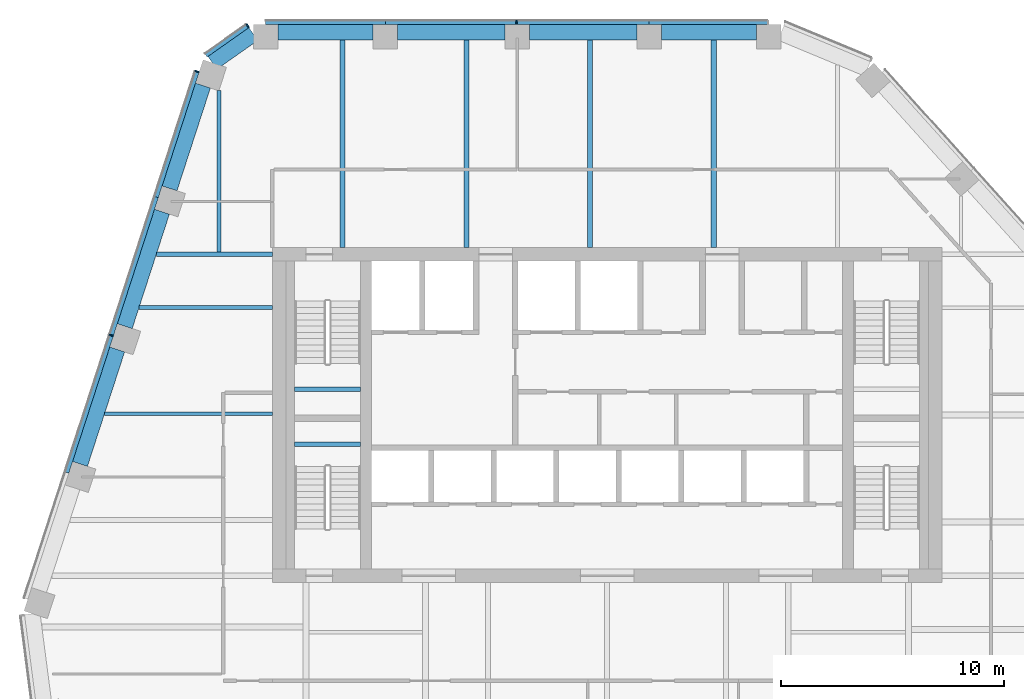
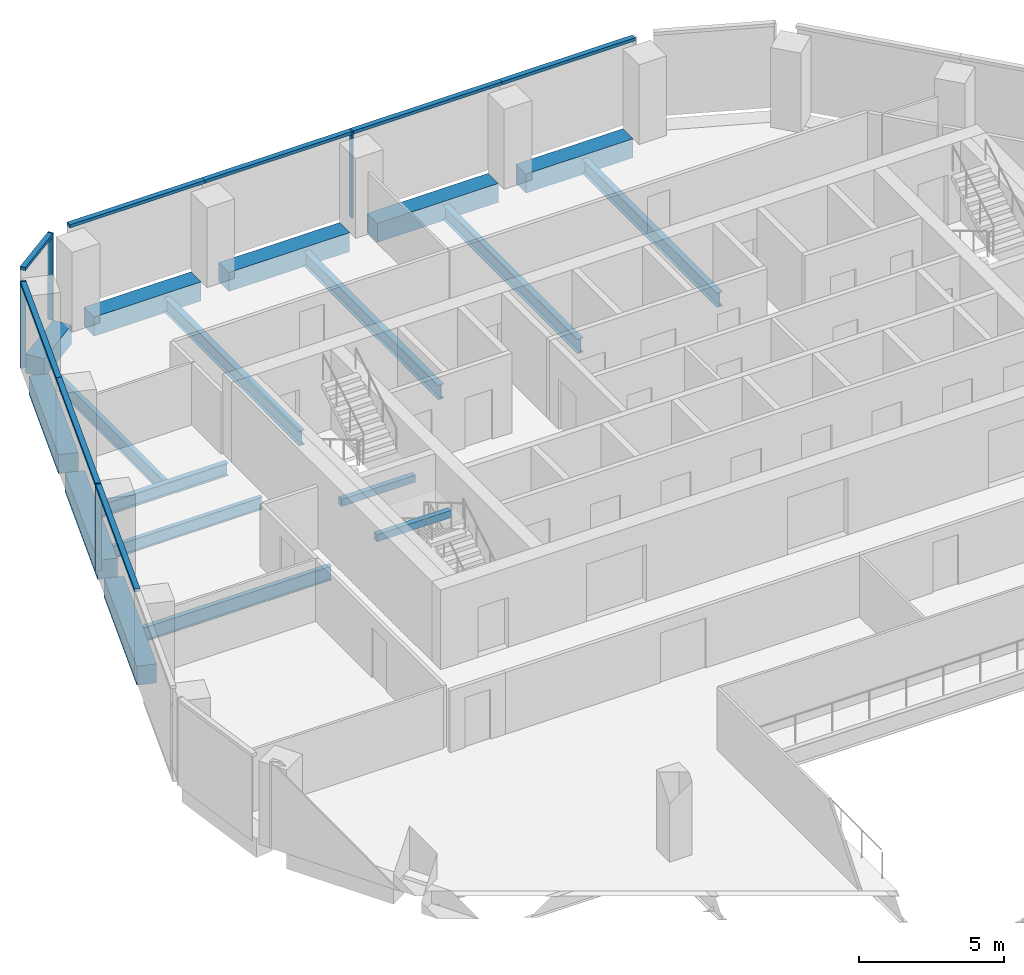
# One storey, part 6 of 16: 18 beams, 12 members, 3 elements without a shape of their own.
"""IFC4 building model written with IfcOpenShell, lengths in metres."""

from ifc_helpers import new_model, si_unit, direction, frame, origin, origin_2d, place, context, subcontext, project, spatial, rectangle, i_section, extrude, material, layer, layer_set, material_profile, profile_set, type_object, element, aggregate, save


model = new_model("IFC4")

# Units and contexts
model_context = context("Model", 3, precision=1e-05, world=origin(), true_north=direction((0.0, 1.0)))
body_context = subcontext(model_context, "Body", "Model", "MODEL_VIEW")
ifc_project = project(units=[si_unit("LENGTHUNIT", "METRE"), si_unit("AREAUNIT", "SQUARE_METRE"), si_unit("VOLUMEUNIT", "CUBIC_METRE"), si_unit("PLANEANGLEUNIT", "RADIAN"), si_unit("MASSUNIT", "GRAM", prefix="KILO")], contexts=[model_context])

# Site, building, storey
site_placement = place(None, origin())
site = spatial("IfcSite", under=ifc_project, at=site_placement, CompositionType="ELEMENT")
building_placement = place(site_placement, origin())
building = spatial("IfcBuilding", under=site, at=building_placement, Name="Isthmus Gate Tower", CompositionType="ELEMENT")
storey_placement = place(building_placement, frame((0.0, 0.0, 252.800048828125)))
storey = spatial("IfcBuildingStorey", under=building, at=storey_placement, Name="L64", CompositionType="ELEMENT", Elevation=252.800048828125)

# Curtain wall, member
ifc_material_1 = material(Name="Aluminium, pale champagne anodised", Category="aluminium")
ifc_layer = layer(ifc_material_1, 0.199951171875)
ifc_layer_set = layer_set([ifc_layer], Name="CW-1 UNITISED CURTAIN WALL 200 DEEP")
curtain_wall_type = type_object("IfcCurtainWallType", Name="CW-1 UNITISED CURTAIN WALL 200 DEEP", PredefinedType="NOTDEFINED", material=ifc_layer_set)
curtain_wall_1_placement = place(storey_placement, origin())
curtain_wall_1 = element("IfcCurtainWall", 1, at=curtain_wall_1_placement, inside=storey, type_object=curtain_wall_type, Name="CW-1 N L64", PredefinedType="NOTDEFINED")
ifc_material_2 = material(Name="Aluminium, pale champagne anodised", Category="aluminium")
ifc_material_profile_1 = material_profile(ifc_material_2, rectangle(XDim=0.06005859375, YDim=0.199951171875, at=origin_2d()), Name="60x200")
ifc_profile_set_1 = profile_set([ifc_material_profile_1], Name="Aluminium, pale champagne anodised")
member_type_1 = type_object("IfcMemberType", Name="CW-1 MULLION 60 X 200", PredefinedType="MULLION", material=ifc_profile_set_1)
member_1_placement = place(storey_placement, frame((-4.06005859375, 25.10009765625, 0.0), z_axis=(0.0, 0.0, 1.0), x_axis=(-1.0, 0.0, 0.0)))
member_1 = element("IfcMember", 2, at=member_1_placement, type_object=member_type_1, Name="CW-1 mullion", PredefinedType="MULLION", context=body_context, shape_type="SweptSolid", body=[
    extrude(rectangle(XDim=0.06005859375, YDim=0.199951171875, at=origin_2d()), origin(), (0.0, 0.0, 1.0), 3.64990234375),
])

curtain_wall_2_placement = place(storey_placement, origin())
curtain_wall_2 = element("IfcCurtainWall", 3, at=curtain_wall_2_placement, inside=storey, type_object=curtain_wall_type, Name="CW-1 N-NW L64", PredefinedType="NOTDEFINED")
member_2_placement = place(storey_placement, frame((-16.10595703125, 24.943115234375, 0.0), z_axis=(0.0, 0.0, 1.0), x_axis=(-0.81785959165, -0.57541783805, 0.0)))
member_2 = element("IfcMember", 4, at=member_2_placement, type_object=member_type_1, Name="CW-1 mullion", PredefinedType="MULLION", context=body_context, shape_type="SweptSolid", body=[
    extrude(rectangle(XDim=0.06005859375, YDim=0.199951171875, at=origin_2d()), origin(), (0.0, 0.0, 1.0), 3.64990234375),
])

# Curtain wall, members
curtain_wall_3_placement = place(storey_placement, origin())
curtain_wall_3 = element("IfcCurtainWall", 5, at=curtain_wall_3_placement, inside=storey, type_object=curtain_wall_type, Name="CW-1 NW L64", PredefinedType="NOTDEFINED")
member_3_placement = place(storey_placement, frame((-18.37841796875, 22.894287109375, 0.0), z_axis=(0.0, 0.0, 1.0), x_axis=(-0.309016994375, -0.951056516295, 0.0)))
member_3 = element("IfcMember", 6, at=member_3_placement, type_object=member_type_1, Name="CW-1 mullion", PredefinedType="MULLION", context=body_context, shape_type="SweptSolid", body=[
    extrude(rectangle(XDim=0.06005859375, YDim=0.199951171875, at=origin_2d()), origin(), (0.0, 0.0, 1.0), 3.64990234375),
])
member_4_placement = place(storey_placement, frame((-22.220703125, 11.069091796875, 0.0), z_axis=(0.0, 0.0, 1.0), x_axis=(-0.309016994375, -0.951056516295, 0.0)))
member_4 = element("IfcMember", 7, at=member_4_placement, type_object=member_type_1, Name="CW-1 mullion", PredefinedType="MULLION", context=body_context, shape_type="SweptSolid", body=[
    extrude(rectangle(XDim=0.06005859375, YDim=0.199951171875, at=origin_2d()), origin(), (0.0, 0.0, 1.0), 3.64990234375),
])

# Member
ifc_material_3 = material(Name="Aluminium, pale champagne anodised", Category="aluminium")
ifc_material_profile_2 = material_profile(ifc_material_3, rectangle(XDim=0.199951171875, YDim=0.1298828125, at=origin_2d()), Name="200x130")
ifc_profile_set_2 = profile_set([ifc_material_profile_2], Name="Aluminium, pale champagne anodised")
member_type_2 = type_object("IfcMemberType", Name="CW-1 TRANSOM 200 X 130", PredefinedType="USERDEFINED", material=ifc_profile_set_2)
member_5_placement = place(storey_placement, frame((7.18115234375, 25.10009765625, 3.5849609375), z_axis=(-1.0, 0.0, 0.0), x_axis=(0.0, -1.0, 0.0)))
member_5 = element("IfcMember", 8, at=member_5_placement, type_object=member_type_2, Name="CW-1 transom", ObjectType="TRANSOM", PredefinedType="USERDEFINED", context=body_context, shape_type="SweptSolid", body=[
    extrude(rectangle(XDim=0.199951171875, YDim=0.1298828125, at=origin_2d()), origin(), (0.0, 0.0, 1.0), 5.300537109375),
])

member_6_placement = place(storey_placement, frame((1.880615234375, 25.10009765625, 3.5849609375), z_axis=(-1.0, 0.0, 0.0), x_axis=(0.0, -1.0, 0.0)))
member_6 = element("IfcMember", 9, at=member_6_placement, type_object=member_type_2, Name="CW-1 transom", ObjectType="TRANSOM", PredefinedType="USERDEFINED", context=body_context, shape_type="SweptSolid", body=[
    extrude(rectangle(XDim=0.199951171875, YDim=0.1298828125, at=origin_2d()), origin(), (0.0, 0.0, 1.0), 5.91064453125),
])

member_7_placement = place(storey_placement, frame((-4.090087890625, 25.10009765625, 3.5849609375), z_axis=(-1.0, 0.0, 0.0), x_axis=(0.0, -1.0, 0.0)))
member_7 = element("IfcMember", 10, at=member_7_placement, type_object=member_type_2, Name="CW-1 transom", ObjectType="TRANSOM", PredefinedType="USERDEFINED", context=body_context, shape_type="SweptSolid", body=[
    extrude(rectangle(XDim=0.199951171875, YDim=0.1298828125, at=origin_2d()), origin(), (0.0, 0.0, 1.0), 5.8505859375),
])

member_8_placement = place(storey_placement, frame((-9.940673828125, 25.10009765625, 3.5849609375), z_axis=(-1.0, 0.0, 0.0), x_axis=(0.0, -1.0, 0.0)))
member_8 = element("IfcMember", 11, at=member_8_placement, type_object=member_type_2, Name="CW-1 transom", ObjectType="TRANSOM", PredefinedType="USERDEFINED", context=body_context, shape_type="SweptSolid", body=[
    extrude(rectangle(XDim=0.199951171875, YDim=0.1298828125, at=origin_2d()), origin(), (0.0, 0.0, 1.0), 5.360595703125),
])

aggregate(curtain_wall_1, [member_5, member_6, member_1, member_7, member_8])

member_9_placement = place(storey_placement, frame((-16.130615234375, 24.92578125, 3.5849609375), z_axis=(-0.817868595604, -0.575405040233, 0.0), x_axis=(0.575405040233, -0.817868595604, 0.0)))
member_9 = element("IfcMember", 12, at=member_9_placement, type_object=member_type_2, Name="CW-1 transom", ObjectType="TRANSOM", PredefinedType="USERDEFINED", context=body_context, shape_type="SweptSolid", body=[
    extrude(rectangle(XDim=0.199951171875, YDim=0.1298828125, at=origin_2d()), origin(), (0.0, 0.0, 1.0), 2.258544921875),
])

aggregate(curtain_wall_2, [member_2, member_9])

member_10_placement = place(storey_placement, frame((-18.3876953125, 22.86572265625, 3.5849609375), z_axis=(-0.309021311898, -0.951055113436, 0.0), x_axis=(0.951055113436, -0.309021311898, 0.0)))
member_10 = element("IfcMember", 13, at=member_10_placement, type_object=member_type_2, Name="CW-1 transom", ObjectType="TRANSOM", PredefinedType="USERDEFINED", context=body_context, shape_type="SweptSolid", body=[
    extrude(rectangle(XDim=0.199951171875, YDim=0.1298828125, at=origin_2d()), origin(), (0.0, 0.0, 1.0), 5.8818359375),
])

member_11_placement = place(storey_placement, frame((-20.205322265625, 17.271728515625, 3.5849609375), z_axis=(-0.309020593362, -0.951055346906, 0.0), x_axis=(0.951055346906, -0.309020593362, 0.0)))
member_11 = element("IfcMember", 14, at=member_11_placement, type_object=member_type_2, Name="CW-1 transom", ObjectType="TRANSOM", PredefinedType="USERDEFINED", context=body_context, shape_type="SweptSolid", body=[
    extrude(rectangle(XDim=0.199951171875, YDim=0.1298828125, at=origin_2d()), origin(), (0.0, 0.0, 1.0), 6.49169921875),
])

member_12_placement = place(storey_placement, frame((-22.22998046875, 11.04052734375, 3.5849609375), z_axis=(-0.309010542947, -0.951058612467, 0.0), x_axis=(0.951058612467, -0.309010542947, 0.0)))
member_12 = element("IfcMember", 15, at=member_12_placement, type_object=member_type_2, Name="CW-1 transom", ObjectType="TRANSOM", PredefinedType="USERDEFINED", context=body_context, shape_type="SweptSolid", body=[
    extrude(rectangle(XDim=0.199951171875, YDim=0.1298828125, at=origin_2d()), origin(), (0.0, 0.0, 1.0), 6.431884765625),
])

aggregate(curtain_wall_3, [member_3, member_10, member_11, member_4, member_12])

# Beams
ifc_material_4 = material(Name="Concrete f'c 50 MPa", Category="concrete")
ifc_material_profile_3 = material_profile(ifc_material_4, rectangle(XDim=0.699951171875, YDim=0.800048828125, at=origin_2d()), Name="RC 700X800")
ifc_profile_set_3 = profile_set([ifc_material_profile_3], Name="Concrete f'c 50 MPa")
beam_type_1 = type_object("IfcBeamType", Name="RC SPANDREL 700 X 800", PredefinedType="SPANDREL", material=ifc_profile_set_3)
for number, where, z_axis, x_axis, name in (
    (16, (-23.61962890625, 5.307373046875, -0.400146484375), (0.309032831924, 0.951051370218, 0.0), (-0.951051370218, 0.309032831924, 0.0), "str-spandrel-L64-22"),
    (17, (-21.613525390625, 11.481689453125, -0.400146484375), (0.309032831924, 0.951051370218, 0.0), (-0.951051370218, 0.309032831924, 0.0), "str-spandrel-L64-23"),
):
    element("IfcBeam", number, at=place(storey_placement, frame(where, z_axis=z_axis, x_axis=x_axis)), inside=storey, type_object=beam_type_1, Name=name, PredefinedType="SPANDREL", context=body_context, shape_type="SweptSolid", body=[
        extrude(rectangle(XDim=0.699951171875, YDim=0.800048828125, at=origin_2d()), origin(), (0.0, 0.0, 1.0), 5.391845703125),
    ])
beam_1_placement = place(storey_placement, frame((-19.607421875, 17.65576171875, -0.400146484375), z_axis=(0.309033626624, 0.951051111989, 0.0), x_axis=(-0.951051111989, 0.309033626624, 0.0)))
element("IfcBeam", 18, at=beam_1_placement, inside=storey, type_object=beam_type_1, Name="str-spandrel-L64-24", PredefinedType="SPANDREL", context=body_context, shape_type="SweptSolid", body=[
    extrude(rectangle(XDim=0.699951171875, YDim=0.800048828125, at=origin_2d()), origin(), (0.0, 0.0, 1.0), 4.842041015625),
])
beam_2_placement = place(storey_placement, frame((-17.68798828125, 23.27978515625, -0.400146484375), z_axis=(0.817855686701, 0.575423388237, 0.0), x_axis=(-0.575423388237, 0.817855686701, 0.0)))
element("IfcBeam", 19, at=beam_2_placement, inside=storey, type_object=beam_type_1, Name="str-spandrel-L64-25", PredefinedType="SPANDREL", context=body_context, shape_type="SweptSolid", body=[
    extrude(rectangle(XDim=0.699951171875, YDim=0.800048828125, at=origin_2d()), origin(), (0.0, 0.0, 1.0), 2.24560546875),
])
beam_3_placement = place(storey_placement, frame((-14.751220703125, 24.64990234375, -0.400146484375), z_axis=(1.0, 0.0, 0.0), x_axis=(0.0, 1.0, 0.0)))
element("IfcBeam", 20, at=beam_3_placement, inside=storey, type_object=beam_type_1, Name="str-spandrel-L64-26", PredefinedType="SPANDREL", context=body_context, shape_type="SweptSolid", body=[
    extrude(rectangle(XDim=0.699951171875, YDim=0.800048828125, at=origin_2d()), origin(), (0.0, 0.0, 1.0), 4.260498046875),
])
for number, where, z_axis, x_axis, name in (
    (21, (-9.390625, 24.64990234375, -0.400146484375), (1.0, 0.0, 0.0), (0.0, 1.0, 0.0), "str-spandrel-L64-27"),
    (22, (-3.47998046875, 24.64990234375, -0.400146484375), (1.0, 0.0, 0.0), (0.0, 1.0, 0.0), "str-spandrel-L64-28"),
):
    element("IfcBeam", number, at=place(storey_placement, frame(where, z_axis=z_axis, x_axis=x_axis)), inside=storey, type_object=beam_type_1, Name=name, PredefinedType="SPANDREL", context=body_context, shape_type="SweptSolid", body=[
        extrude(rectangle(XDim=0.699951171875, YDim=0.800048828125, at=origin_2d()), origin(), (0.0, 0.0, 1.0), 4.810546875),
    ])
beam_4_placement = place(storey_placement, frame((2.430419921875, 24.64990234375, -0.400146484375), z_axis=(1.0, 0.0, 0.0), x_axis=(0.0, 1.0, 0.0)))
element("IfcBeam", 23, at=beam_4_placement, inside=storey, type_object=beam_type_1, Name="str-spandrel-L64-29", PredefinedType="SPANDREL", context=body_context, shape_type="SweptSolid", body=[
    extrude(rectangle(XDim=0.699951171875, YDim=0.800048828125, at=origin_2d()), origin(), (0.0, 0.0, 1.0), 4.2607421875),
])
ifc_material_5 = material(Name="Concrete f'c 40 MPa", Category="concrete")
ifc_material_profile_4 = material_profile(ifc_material_5, rectangle(XDim=0.199951171875, YDim=0.300048828125, at=origin_2d()), Name="STAIR LANDING BEAM RC 200 X 300")
ifc_profile_set_4 = profile_set([ifc_material_profile_4], Name="Concrete f'c 40 MPa")
beam_type_2 = type_object("IfcBeamType", Name="STAIR LANDING BEAM RC 200 X 300", PredefinedType="BEAM", material=ifc_profile_set_4)
for number, where, z_axis, x_axis, name in (
    (24, (-14.0, 8.64990234375, 1.474853515625), (1.0, 0.0, 0.0), (0.0, 1.0, 0.0), "L64 ST1 landing beam 1"),
    (25, (-14.0, 6.199951171875, 1.474853515625), (1.0, 0.0, 0.0), (0.0, 1.0, 0.0), "L64 ST7 landing beam 1"),
):
    element("IfcBeam", number, at=place(storey_placement, frame(where, z_axis=z_axis, x_axis=x_axis)), inside=storey, type_object=beam_type_2, Name=name, PredefinedType="BEAM", context=body_context, shape_type="SweptSolid", body=[
        extrude(rectangle(XDim=0.199951171875, YDim=0.300048828125, at=origin_2d()), origin(), (0.0, 0.0, 1.0), 2.949951171875),
    ])
ifc_material_6 = material(Name="Structural steel ASTM A992 Gr 50", Category="steel")
ifc_material_profile_5 = material_profile(ifc_material_6, i_section(OverallWidth=0.1650390625, OverallDepth=0.52392578125, WebThickness=0.009521484375, FlangeThickness=0.010986328125, at=origin_2d()), Name="W21X44")
ifc_profile_set_5 = profile_set([ifc_material_profile_5], Name="Structural steel ASTM A992 Gr 50")
beam_type_3 = type_object("IfcBeamType", Name="STEEL FLOOR BEAM W21X44", PredefinedType="JOIST", material=ifc_profile_set_5)
beam_5_placement = place(storey_placement, frame((-20.973388671875, 12.319091796875, -0.412109375), z_axis=(1.0, 0.0, 0.0), x_axis=(0.0, 1.0, 0.0)))
element("IfcBeam", 26, at=beam_5_placement, inside=storey, type_object=beam_type_3, Name="str-beam-L64-00-02", PredefinedType="JOIST", context=body_context, shape_type="SweptSolid", body=[
    extrude(i_section(OverallWidth=0.1650390625, OverallDepth=0.52392578125, WebThickness=0.009521484375, FlangeThickness=0.010986328125, at=origin_2d()), origin(), (0.0, 0.0, 1.0), 5.973388671875),
])
ifc_material_7 = material(Name="Structural steel ASTM A992 Gr 50", Category="steel")
ifc_material_profile_6 = material_profile(ifc_material_7, i_section(OverallWidth=0.177734375, OverallDepth=0.60009765625, WebThickness=0.009521484375, FlangeThickness=0.0126953125, at=origin_2d()), Name="W24X55")
ifc_profile_set_6 = profile_set([ifc_material_profile_6], Name="Structural steel ASTM A992 Gr 50")
beam_type_4 = type_object("IfcBeamType", Name="STEEL FLOOR BEAM W24X55", PredefinedType="JOIST", material=ifc_profile_set_6)
beam_6_placement = place(storey_placement, frame((-22.520751953125, 7.55712890625, -0.4501953125), z_axis=(1.0, 0.0, 0.0), x_axis=(0.0, 1.0, 0.0)))
element("IfcBeam", 27, at=beam_6_placement, inside=storey, type_object=beam_type_4, Name="str-beam-L64-00-01", PredefinedType="JOIST", context=body_context, shape_type="SweptSolid", body=[
    extrude(i_section(OverallWidth=0.177734375, OverallDepth=0.60009765625, WebThickness=0.009521484375, FlangeThickness=0.0126953125, at=origin_2d()), origin(), (0.0, 0.0, 1.0), 7.520751953125),
])
beam_7_placement = place(storey_placement, frame((-17.394287109375, 14.8046875, -0.4501953125), z_axis=(0.0, 1.0, 0.0), x_axis=(-1.0, 0.0, 0.0)))
element("IfcBeam", 28, at=beam_7_placement, inside=storey, type_object=beam_type_4, Name="str-beam-L64-05-00", PredefinedType="JOIST", context=body_context, shape_type="SweptSolid", body=[
    extrude(i_section(OverallWidth=0.177734375, OverallDepth=0.60009765625, WebThickness=0.009521484375, FlangeThickness=0.0126953125, at=origin_2d()), origin(), (0.0, 0.0, 1.0), 7.235107421875),
])
ifc_material_8 = material(Name="Structural steel ASTM A992 Gr 50", Category="steel")
ifc_material_profile_7 = material_profile(ifc_material_8, i_section(OverallWidth=0.228515625, OverallDepth=0.603271484375, WebThickness=0.010986328125, FlangeThickness=0.014404296875, at=origin_2d()), Name="W24X68")
ifc_profile_set_7 = profile_set([ifc_material_profile_7], Name="Structural steel ASTM A992 Gr 50")
beam_type_5 = type_object("IfcBeamType", Name="STEEL FLOOR BEAM W24X68", PredefinedType="JOIST", material=ifc_profile_set_7)
for number, where, z_axis, x_axis, name in (
    (29, (-11.8515625, 15.0, -0.45166015625), (0.0, 1.0, 0.0), (-1.0, 0.0, 0.0), "str-beam-L64-05-01"),
    (30, (-6.308837890625, 15.0, -0.45166015625), (0.0, 1.0, 0.0), (-1.0, 0.0, 0.0), "str-beam-L64-05-02"),
    (31, (-0.76611328125, 15.0, -0.45166015625), (0.0, 1.0, 0.0), (-1.0, 0.0, 0.0), "str-beam-L64-05-03"),
    (32, (4.776611328125, 15.0, -0.45166015625), (0.0, 1.0, 0.0), (-1.0, 0.0, 0.0), "str-beam-L64-05-04"),
):
    element("IfcBeam", number, at=place(storey_placement, frame(where, z_axis=z_axis, x_axis=x_axis)), inside=storey, type_object=beam_type_5, Name=name, PredefinedType="JOIST", context=body_context, shape_type="SweptSolid", body=[
        extrude(i_section(OverallWidth=0.228515625, OverallDepth=0.603271484375, WebThickness=0.010986328125, FlangeThickness=0.014404296875, at=origin_2d()), origin(), (0.0, 0.0, 1.0), 9.300048828125),
    ])
ifc_material_9 = material(Name="Structural steel ASTM A992 Gr 50", Category="steel")
ifc_material_profile_8 = material_profile(ifc_material_9, i_section(OverallWidth=0.20947265625, OverallDepth=0.533447265625, WebThickness=0.009521484375, FlangeThickness=0.015869140625, at=origin_2d()), Name="W21X62")
ifc_profile_set_8 = profile_set([ifc_material_profile_8], Name="Structural steel ASTM A992 Gr 50")
beam_type_6 = type_object("IfcBeamType", Name="STEEL GIRDER W21X62", PredefinedType="BEAM", material=ifc_profile_set_8)
beam_8_placement = place(storey_placement, frame((-15.0, 14.699951171875, -0.416748046875), z_axis=(-1.0, 0.0, 0.0), x_axis=(0.0, -1.0, 0.0)))
element("IfcBeam", 33, at=beam_8_placement, inside=storey, type_object=beam_type_6, Name="str-girder-L64-11", PredefinedType="BEAM", context=body_context, shape_type="SweptSolid", body=[
    extrude(i_section(OverallWidth=0.20947265625, OverallDepth=0.533447265625, WebThickness=0.009521484375, FlangeThickness=0.015869140625, at=origin_2d()), origin(), (0.0, 0.0, 1.0), 5.19970703125),
])

save(model, "model.ifc")
